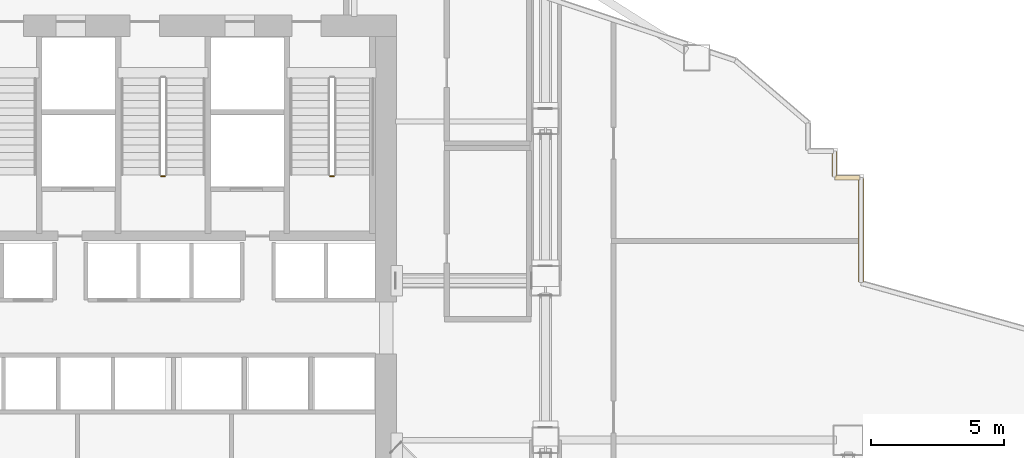
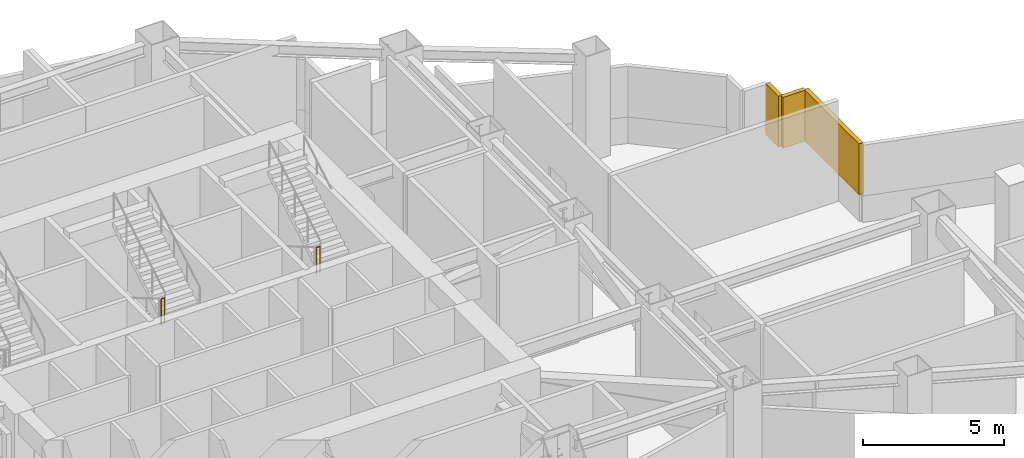
# One storey, part 20 of 23: 3 shading devices, 2 railings.
"""IFC4 building model written with IfcOpenShell, lengths in metres."""

from ifc_helpers import new_model, si_unit, direction, frame, origin, origin_2d, place, context, subcontext, project, spatial, rectangle, circle, extrude, material, type_object, element, save


model = new_model("IFC4")

# Units and contexts
model_context = context("Model", 3, precision=1e-05, world=origin(), true_north=direction((0.0, 1.0)))
body_context = subcontext(model_context, "Body", "Model", "MODEL_VIEW")
ifc_project = project(units=[si_unit("LENGTHUNIT", "METRE"), si_unit("AREAUNIT", "SQUARE_METRE"), si_unit("VOLUMEUNIT", "CUBIC_METRE"), si_unit("PLANEANGLEUNIT", "RADIAN"), si_unit("MASSUNIT", "GRAM", prefix="KILO")], contexts=[model_context])

# Site, building, storey
site_placement = place(None, origin())
site = spatial("IfcSite", under=ifc_project, at=site_placement, CompositionType="ELEMENT")
building_placement = place(site_placement, origin())
building = spatial("IfcBuilding", under=site, at=building_placement, Name="Haolan Belvedere Tower", CompositionType="ELEMENT")
storey_placement = place(building_placement, frame((0.0, 0.0, 89.39990234375)))
storey = spatial("IfcBuildingStorey", under=building, at=storey_placement, Name="L22", CompositionType="ELEMENT", Elevation=89.39990234375)

# Railings
ifc_material_1 = material(Name="Brushed stainless steel 304", Category="steel")
railing_type = type_object("IfcRailingType", Name="RL-STAIR-GRD-1150", PredefinedType="GUARDRAIL", material=ifc_material_1)
railing_1_placement = place(storey_placement, frame((38.330078125, 37.5400390625, 2.300048828125)))
element("IfcRailing", 1, at=railing_1_placement, inside=storey, type_object=railing_type, Name="L22 ST3 stair guard 2", PredefinedType="GUARDRAIL", context=body_context, shape_type="SweptSolid", body=[
    extrude(circle(Radius=0.02392578125, at=origin_2d()), frame((0.0, 0.0, 1.1259765625), z_axis=(1.0, 0.0, 0.0), x_axis=(0.0, 1.0, 0.0)), (0.0, 0.0, 1.0), 0.139892578125),
    extrude(circle(Radius=0.02099609375, at=origin_2d()), origin(), (0.0, 0.0, 1.0), 1.101806640625),
    extrude(circle(Radius=0.02099609375, at=origin_2d()), frame((0.139892578125, 0.0, 0.0)), (0.0, 0.0, 1.0), 1.101806640625),
])
railing_2_placement = place(storey_placement, frame((44.68994140625, 37.5400390625, 2.300048828125)))
element("IfcRailing", 2, at=railing_2_placement, inside=storey, type_object=railing_type, Name="L22 ST2 stair guard 2", PredefinedType="GUARDRAIL", context=body_context, shape_type="SweptSolid", body=[
    extrude(circle(Radius=0.02392578125, at=origin_2d()), frame((0.0, 0.0, 1.1259765625), z_axis=(1.0, 0.0, 0.0), x_axis=(0.0, 1.0, 0.0)), (0.0, 0.0, 1.0), 0.14013671875),
    extrude(circle(Radius=0.02099609375, at=origin_2d()), origin(), (0.0, 0.0, 1.0), 1.101806640625),
    extrude(circle(Radius=0.02099609375, at=origin_2d()), frame((0.14013671875, 0.0, 0.0)), (0.0, 0.0, 1.0), 1.101806640625),
])

# Shading devices
ifc_material_2 = material(Name="Anodised champagne-silver aluminium 6063-T6", Category="aluminium")
shading_device_type = type_object("IfcShadingDeviceType", Name="SHD-LOUV-180", PredefinedType="JALOUSIE", material=ifc_material_2)
shading_device_placement = place(storey_placement, frame((64.679931640625, 35.509521484375, 1.14990234375), z_axis=(0.0, 0.0, 1.0), x_axis=(0.0, 1.0, 0.0)))
element("IfcShadingDevice", 3, at=shading_device_placement, inside=storey, type_object=shading_device_type, Name="L22 refuge storm-proof louvre bank 29.1", PredefinedType="JALOUSIE", context=body_context, shape_type="SweptSolid", body=[
    extrude(rectangle(XDim=3.901123046875, YDim=0.179931640625, at=origin_2d()), origin(), (0.0, 0.0, 1.0), 2.199951171875),
])
for number, where, z_axis, x_axis, name in (
    (4, (64.1650390625, 37.47998046875, 1.14990234375), (0.0, 0.0, 1.0), (-1.0, 0.0, 0.0), "L22 refuge storm-proof louvre bank 30.1"),
    (5, (63.679931640625, 37.9951171875, 1.14990234375), (0.0, 0.0, 1.0), (0.0, 1.0, 0.0), "L22 refuge storm-proof louvre bank 31.1"),
):
    element("IfcShadingDevice", number, at=place(storey_placement, frame(where, z_axis=z_axis, x_axis=x_axis)), inside=storey, type_object=shading_device_type, Name=name, PredefinedType="JALOUSIE", context=body_context, shape_type="SweptSolid", body=[
        extrude(rectangle(XDim=0.929931640625, YDim=0.179931640625, at=origin_2d()), origin(), (0.0, 0.0, 1.0), 2.199951171875),
    ])

save(model, "model.ifc")
